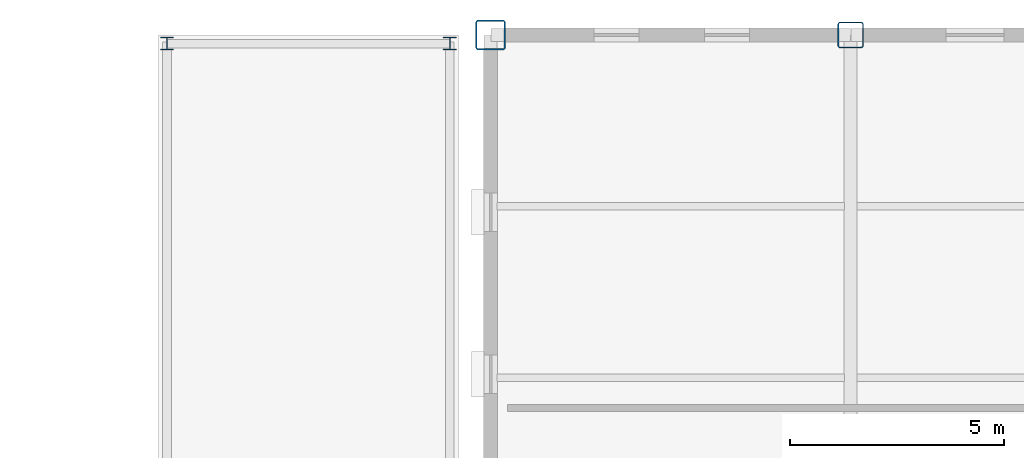
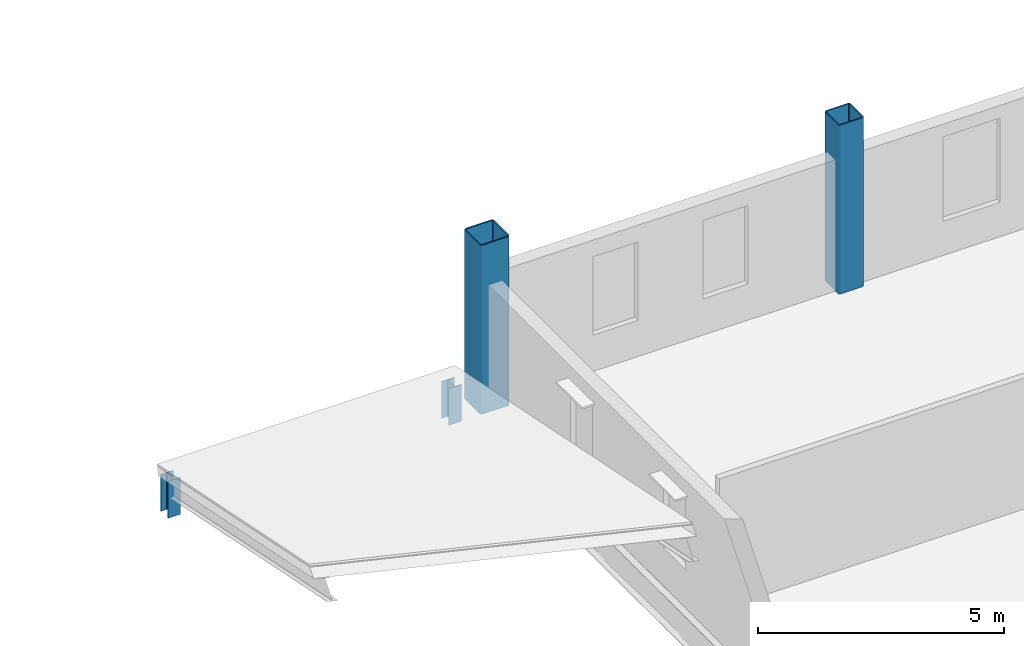
# One storey, part 13 of 75: 4 columns.
"""IFC4 building model written with IfcOpenShell, lengths in metres."""

from ifc_helpers import new_model, si_unit, direction, frame, origin, origin_2d, place, context, subcontext, project, spatial, hollow_rectangle, i_section, extrude, material, material_profile, profile_set, type_object, element, save


model = new_model("IFC4")

# Units and contexts
model_context = context("Model", 3, precision=1e-05, world=origin(), true_north=direction((0.0, 1.0)))
body_context = subcontext(model_context, "Body", "Model", "MODEL_VIEW")
ifc_project = project(units=[si_unit("LENGTHUNIT", "METRE"), si_unit("AREAUNIT", "SQUARE_METRE"), si_unit("VOLUMEUNIT", "CUBIC_METRE"), si_unit("PLANEANGLEUNIT", "RADIAN"), si_unit("MASSUNIT", "GRAM", prefix="KILO")], contexts=[model_context])

# Site, building, storey
site_placement = place(None, origin())
site = spatial("IfcSite", under=ifc_project, at=site_placement, CompositionType="ELEMENT")
building_placement = place(site_placement, origin())
building = spatial("IfcBuilding", under=site, at=building_placement, Name="Yukiwa Park Conservatory and Herbarium", CompositionType="ELEMENT")
storey_placement = place(building_placement, frame((0.0, 0.0, 4.800048828125)))
storey = spatial("IfcBuildingStorey", under=building, at=storey_placement, Name="L01", CompositionType="ELEMENT", Elevation=4.800048828125)

# Columns
ifc_material_1 = material(Name="Steel Q355D", Category="steel")
ifc_material_profile_1 = material_profile(ifc_material_1, hollow_rectangle(XDim=0.60009765625, YDim=0.60009765625, WallThickness=0.02490234375, InnerFilletRadius=0.02490234375, OuterFilletRadius=0.050048828125, at=origin_2d()), Name="BOX 600x600x25")
ifc_profile_set_1 = profile_set([ifc_material_profile_1], Name="Steel Q355D")
column_type_1 = type_object("IfcColumnType", Name="COL-TW-BOX600-EXT", PredefinedType="COLUMN", material=ifc_profile_set_1)
column_1_placement = place(storey_placement, frame((124.800048828125, 115.199951171875, 0.0), z_axis=(0.0, 0.0, 1.0), x_axis=(1.0, 0.0, 0.0)))
element("IfcColumn", 1, at=column_1_placement, inside=storey, type_object=column_type_1, Name="L01 column V5-X1248-Y1152", PredefinedType="COLUMN", context=body_context, shape_type="SweptSolid", body=[
    extrude(hollow_rectangle(XDim=0.60009765625, YDim=0.60009765625, WallThickness=0.02490234375, InnerFilletRadius=0.02490234375, OuterFilletRadius=0.050048828125, at=origin_2d()), origin(), (0.0, 0.0, 1.0), 4.199951171875),
])
ifc_material_2 = material(Name="Steel Q355D", Category="steel")
ifc_material_profile_2 = material_profile(ifc_material_2, hollow_rectangle(XDim=0.699951171875, YDim=0.699951171875, WallThickness=0.031982421875, InnerFilletRadius=0.031982421875, OuterFilletRadius=0.06396484375, at=origin_2d()), Name="BOX 700x700x32")
ifc_profile_set_2 = profile_set([ifc_material_profile_2], Name="Steel Q355D")
column_type_2 = type_object("IfcColumnType", Name="COL-TW-BOX700-EXT", PredefinedType="COLUMN", material=ifc_profile_set_2)
column_2_placement = place(storey_placement, frame((116.39990234375, 115.199951171875, 0.0), z_axis=(0.0, 0.0, 1.0), x_axis=(1.0, 0.0, 0.0)))
element("IfcColumn", 2, at=column_2_placement, inside=storey, type_object=column_type_2, Name="L01 column V5-X1164-Y1152", PredefinedType="COLUMN", context=body_context, shape_type="SweptSolid", body=[
    extrude(hollow_rectangle(XDim=0.699951171875, YDim=0.699951171875, WallThickness=0.031982421875, InnerFilletRadius=0.031982421875, OuterFilletRadius=0.06396484375, at=origin_2d()), origin(), (0.0, 0.0, 1.0), 4.199951171875),
])
ifc_material_3 = material(Name="Steel Q355D", Category="steel")
ifc_material_profile_3 = material_profile(ifc_material_3, i_section(OverallWidth=0.300048828125, OverallDepth=0.300048828125, WebThickness=0.010009765625, FlangeThickness=0.014892578125, FilletRadius=0.01806640625, at=origin_2d()), Name="HW 300x300x10x15")
ifc_profile_set_3 = profile_set([ifc_material_profile_3], Name="Steel Q355D")
column_type_3 = type_object("IfcColumnType", Name="COL-TW-HW300-EXT", PredefinedType="COLUMN", material=ifc_profile_set_3)
for number, where, z_axis, x_axis, name in (
    (3, (108.85009765625, 115.0, 0.0), (0.0, 0.0, 1.0), (1.0, 0.0, 0.0), "Service ramp canopy L01 portal post 1"),
    (4, (115.449951171875, 115.0, 0.0), (0.0, 0.0, 1.0), (1.0, 0.0, 0.0), "Service ramp canopy L01 portal post 2"),
):
    element("IfcColumn", number, at=place(storey_placement, frame(where, z_axis=z_axis, x_axis=x_axis)), inside=storey, type_object=column_type_3, Name=name, PredefinedType="COLUMN", context=body_context, shape_type="SweptSolid", body=[
        extrude(i_section(OverallWidth=0.300048828125, OverallDepth=0.300048828125, WebThickness=0.010009765625, FlangeThickness=0.014892578125, FilletRadius=0.01806640625, at=origin_2d()), origin(), (0.0, 0.0, 1.0), 0.915771484375),
    ])

save(model, "model.ifc")
